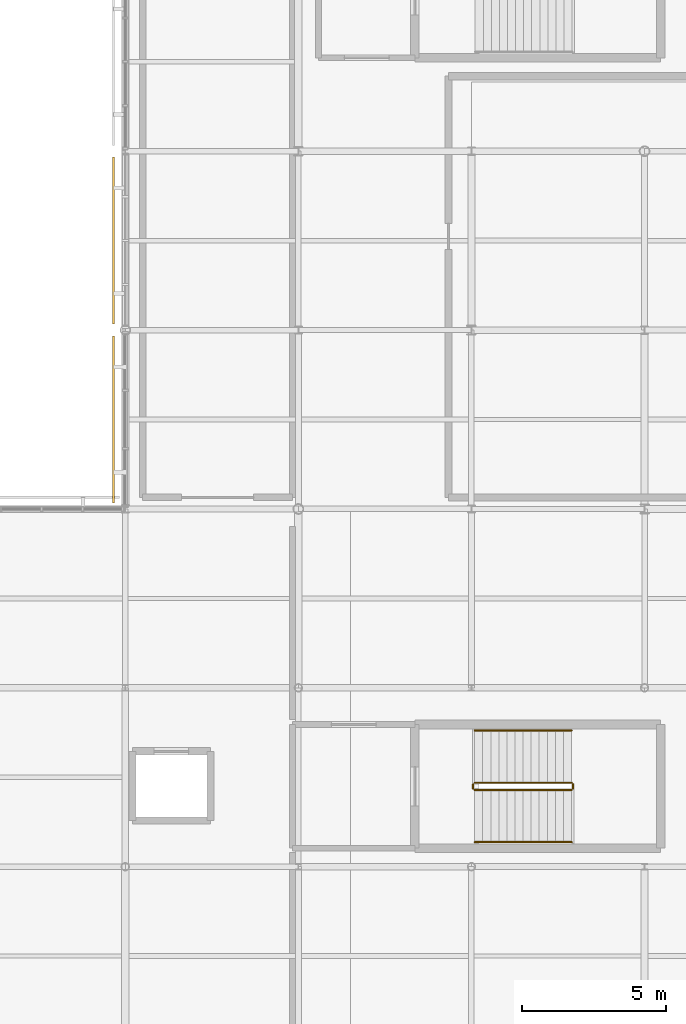
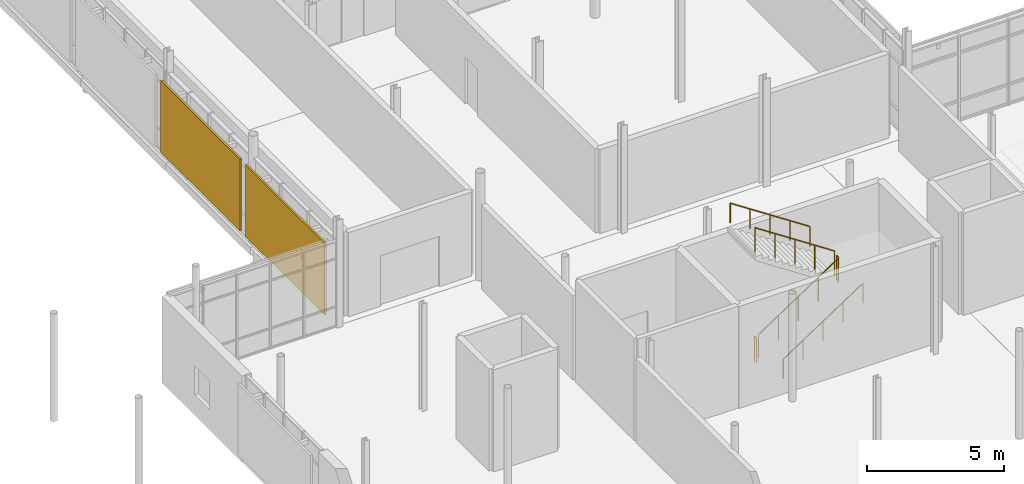
# One storey, part 62 of 66: 6 railings, 2 shading devices.
"""IFC4 building model written with IfcOpenShell, lengths in metres."""

from ifc_helpers import new_model, si_unit, direction, frame, origin, origin_2d, place, context, subcontext, project, spatial, rectangle, circle, extrude, material, layer, layer_set, type_object, element, save


model = new_model("IFC4")

# Units and contexts
model_context = context("Model", 3, precision=1e-05, world=origin(), true_north=direction((0.0, 1.0)))
body_context = subcontext(model_context, "Body", "Model", "MODEL_VIEW")
ifc_project = project(units=[si_unit("LENGTHUNIT", "METRE"), si_unit("AREAUNIT", "SQUARE_METRE"), si_unit("VOLUMEUNIT", "CUBIC_METRE"), si_unit("PLANEANGLEUNIT", "RADIAN"), si_unit("MASSUNIT", "GRAM", prefix="KILO")], contexts=[model_context])

# Site, building, storey
site_placement = place(None, origin())
site = spatial("IfcSite", under=ifc_project, at=site_placement, CompositionType="ELEMENT")
building_placement = place(site_placement, origin())
building = spatial("IfcBuilding", under=site, at=building_placement, Name="Mirzam Square Science Centre", CompositionType="ELEMENT")
storey_placement = place(building_placement, frame((0.0, 0.0, 15.60009765625)))
storey = spatial("IfcBuildingStorey", under=building, at=storey_placement, Name="L03", CompositionType="ELEMENT", Elevation=15.60009765625)

# Railings
ifc_material_1 = material(Name="Bronze-Anodised Architectural Balustrade", Category="aluminium")
railing_type_1 = type_object("IfcRailingType", Name="RL-INT-GUARD-1100", PredefinedType="GUARDRAIL", material=ifc_material_1)
railing_1_placement = place(storey_placement, frame((126.110107421875, 77.06005859375, 0.1845703125)))
element("IfcRailing", 1, at=railing_1_placement, inside=storey, type_object=railing_type_1, Name="L03 ST-04 stair guard 1", PredefinedType="GUARDRAIL", context=body_context, shape_type="SweptSolid", body=[
    extrude(circle(Radius=0.02392578125, at=origin_2d()), frame((0.0, 0.0, 1.076171875), z_axis=(0.834858096282, 0.0, 0.550465220583), x_axis=(0.0, 1.0, 0.0)), (0.0, 0.0, 1.0), 4.0244140625),
    extrude(circle(Radius=0.02099609375, at=origin_2d()), origin(), (0.0, 0.0, 1.0), 1.052001953125),
    extrude(circle(Radius=0.02099609375, at=origin_2d()), frame((0.83984375, 0.0, 0.5537109375)), (0.0, 0.0, 1.0), 1.052001953125),
    extrude(circle(Radius=0.02099609375, at=origin_2d()), frame((1.679931640625, 0.0, 1.107666015625)), (0.0, 0.0, 1.0), 1.052001953125),
    extrude(circle(Radius=0.02099609375, at=origin_2d()), frame((2.52001953125, 0.0, 1.66162109375)), (0.0, 0.0, 1.0), 1.052001953125),
    extrude(circle(Radius=0.02099609375, at=origin_2d()), frame((3.35986328125, 0.0, 2.21533203125)), (0.0, 0.0, 1.0), 1.052001953125),
])
railing_2_placement = place(storey_placement, frame((129.52001953125, 77.110107421875, 2.39990234375)))
element("IfcRailing", 2, at=railing_2_placement, inside=storey, type_object=railing_type_1, Name="L03 ST-04 stair guard 2", PredefinedType="GUARDRAIL", context=body_context, shape_type="SweptSolid", body=[
    extrude(circle(Radius=0.02392578125, at=origin_2d()), frame((0.0, 0.0, 1.076171875), z_axis=(0.0, 1.0, 0.0), x_axis=(-1.0, 0.0, 0.0)), (0.0, 0.0, 1.0), 0.14990234375),
    extrude(circle(Radius=0.02099609375, at=origin_2d()), origin(), (0.0, 0.0, 1.0), 1.052001953125),
    extrude(circle(Radius=0.02099609375, at=origin_2d()), frame((0.0, 0.14990234375, 0.0)), (0.0, 0.0, 1.0), 1.052001953125),
])
railing_3_placement = place(storey_placement, frame((129.469970703125, 77.31005859375, 2.58447265625)))
element("IfcRailing", 3, at=railing_3_placement, inside=storey, type_object=railing_type_1, Name="L03 ST-04 stair guard 3", PredefinedType="GUARDRAIL", context=body_context, shape_type="SweptSolid", body=[
    extrude(circle(Radius=0.02392578125, at=origin_2d()), frame((0.0, 0.0, 1.076171875), z_axis=(-0.834858096282, 0.0, 0.550465220583), x_axis=(0.0, -1.0, 0.0)), (0.0, 0.0, 1.0), 4.0244140625),
    extrude(circle(Radius=0.02099609375, at=origin_2d()), origin(), (0.0, 0.0, 1.0), 1.052001953125),
    extrude(circle(Radius=0.02099609375, at=origin_2d()), frame((-0.83984375, 0.0, 0.5537109375)), (0.0, 0.0, 1.0), 1.052001953125),
    extrude(circle(Radius=0.02099609375, at=origin_2d()), frame((-1.679931640625, 0.0, 1.107666015625)), (0.0, 0.0, 1.0), 1.052001953125),
    extrude(circle(Radius=0.02099609375, at=origin_2d()), frame((-2.52001953125, 0.0, 1.66162109375)), (0.0, 0.0, 1.0), 1.052001953125),
    extrude(circle(Radius=0.02099609375, at=origin_2d()), frame((-3.35986328125, 0.0, 2.21533203125)), (0.0, 0.0, 1.0), 1.052001953125),
])
railing_4_placement = place(storey_placement, frame((126.06005859375, 77.110107421875, 0.0)))
element("IfcRailing", 4, at=railing_4_placement, inside=storey, type_object=railing_type_1, Name="L03 ST-04 stair guard 4", PredefinedType="GUARDRAIL", context=body_context, shape_type="SweptSolid", body=[
    extrude(circle(Radius=0.02392578125, at=origin_2d()), frame((0.0, 0.0, 1.076171875), z_axis=(0.0, 1.0, 0.0), x_axis=(-1.0, 0.0, 0.0)), (0.0, 0.0, 1.0), 0.14990234375),
    extrude(circle(Radius=0.02099609375, at=origin_2d()), origin(), (0.0, 0.0, 1.0), 1.052001953125),
    extrude(circle(Radius=0.02099609375, at=origin_2d()), frame((0.0, 0.14990234375, 0.0)), (0.0, 0.0, 1.0), 1.052001953125),
])
ifc_material_2 = material(Name="Brushed Bronze Tubular Handrail", Category="aluminium")
railing_type_2 = type_object("IfcRailingType", Name="RL-STAIR-HANDRAIL-900", PredefinedType="HANDRAIL", material=ifc_material_2)
railing_5_placement = place(storey_placement, frame((126.110107421875, 75.25, 0.381103515625)))
element("IfcRailing", 5, at=railing_5_placement, inside=storey, type_object=railing_type_2, Name="L03 ST-04 stair handrail 1", PredefinedType="HANDRAIL", context=body_context, shape_type="SweptSolid", body=[
    extrude(circle(Radius=0.02392578125, at=origin_2d()), frame((0.0, 0.0, 0.8759765625), z_axis=(0.834858096282, 0.0, 0.550465220583), x_axis=(0.0, 1.0, 0.0)), (0.0, 0.0, 1.0), 4.0244140625),
    extrude(circle(Radius=0.02099609375, at=origin_2d()), origin(), (0.0, 0.0, 1.0), 0.851806640625),
    extrude(circle(Radius=0.02099609375, at=origin_2d()), frame((0.83984375, 0.0, 0.5537109375)), (0.0, 0.0, 1.0), 0.851806640625),
    extrude(circle(Radius=0.02099609375, at=origin_2d()), frame((1.679931640625, 0.0, 1.107666015625)), (0.0, 0.0, 1.0), 0.851806640625),
    extrude(circle(Radius=0.02099609375, at=origin_2d()), frame((2.52001953125, 0.0, 1.66162109375)), (0.0, 0.0, 1.0), 0.851806640625),
    extrude(circle(Radius=0.02099609375, at=origin_2d()), frame((3.35986328125, 0.0, 2.21533203125)), (0.0, 0.0, 1.0), 0.851806640625),
])
railing_6_placement = place(storey_placement, frame((129.469970703125, 79.1201171875, 2.78125)))
element("IfcRailing", 6, at=railing_6_placement, inside=storey, type_object=railing_type_2, Name="L03 ST-04 stair handrail 2", PredefinedType="HANDRAIL", context=body_context, shape_type="SweptSolid", body=[
    extrude(circle(Radius=0.02392578125, at=origin_2d()), frame((0.0, 0.0, 0.8759765625), z_axis=(-0.834858096282, 0.0, 0.550465220583), x_axis=(0.0, -1.0, 0.0)), (0.0, 0.0, 1.0), 4.0244140625),
    extrude(circle(Radius=0.02099609375, at=origin_2d()), origin(), (0.0, 0.0, 1.0), 0.851806640625),
    extrude(circle(Radius=0.02099609375, at=origin_2d()), frame((-0.83984375, 0.0, 0.5537109375)), (0.0, 0.0, 1.0), 0.851806640625),
    extrude(circle(Radius=0.02099609375, at=origin_2d()), frame((-1.679931640625, 0.0, 1.107666015625)), (0.0, 0.0, 1.0), 0.851806640625),
    extrude(circle(Radius=0.02099609375, at=origin_2d()), frame((-2.52001953125, 0.0, 1.66162109375)), (0.0, 0.0, 1.0), 0.851806640625),
    extrude(circle(Radius=0.02099609375, at=origin_2d()), frame((-3.35986328125, 0.0, 2.21533203125)), (0.0, 0.0, 1.0), 0.851806640625),
])

# Shading devices
ifc_material_3 = material(Name="Perforated Bronze-Anodised Aluminium Brise-Soleil", Category="aluminium")
ifc_layer = layer(ifc_material_3, 0.080078125)
ifc_layer_set = layer_set([ifc_layer], Name="SHD-BRISE-BRONZE")
shading_device_type = type_object("IfcShadingDeviceType", Name="SHD-BRISE-BRONZE", PredefinedType="JALOUSIE", material=ifc_layer_set)
for number, where, z_axis, x_axis, name in (
    (7, (113.590087890625, 89.89990234375, 0.48974609375), (0.0, 0.0, 1.0), (0.0, -1.0, 0.0), "L03 bronze brise-soleil screen 128"),
    (8, (113.590087890625, 96.10009765625, 0.48974609375), (0.0, 0.0, 1.0), (0.0, -1.0, 0.0), "L03 bronze brise-soleil screen 130"),
):
    element("IfcShadingDevice", number, at=place(storey_placement, frame(where, z_axis=z_axis, x_axis=x_axis)), inside=storey, type_object=shading_device_type, Name=name, PredefinedType="JALOUSIE", context=body_context, shape_type="SweptSolid", body=[
        extrude(rectangle(XDim=5.7900390625, YDim=0.080078125, at=origin_2d()), origin(), (0.0, 0.0, 1.0), 3.199951171875),
    ])

save(model, "model.ifc")
